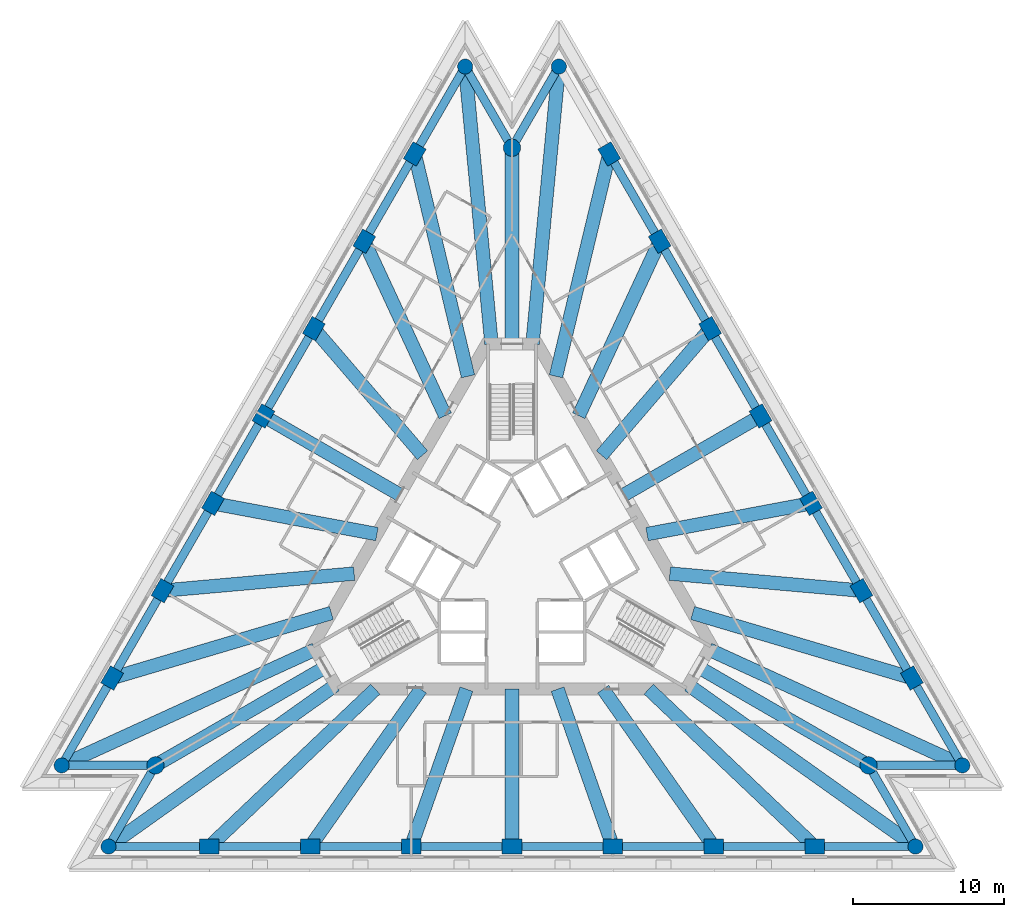
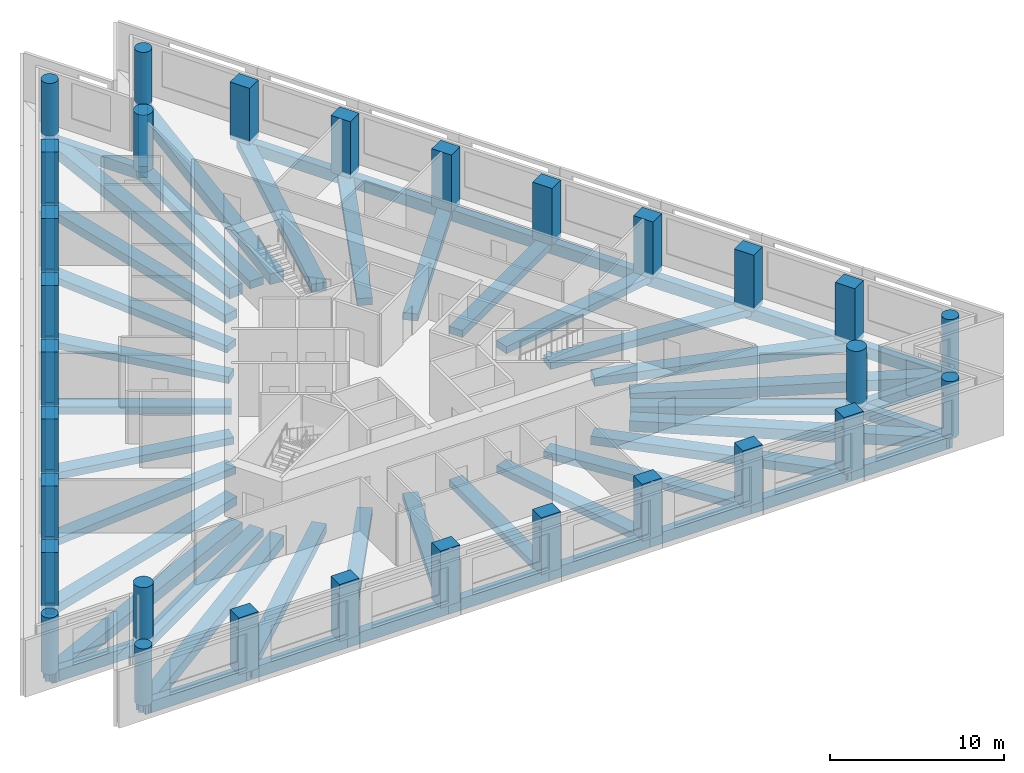
# One storey, part 1 of 9: 59 beams, 30 columns.
"""IFC4 building model written with IfcOpenShell, lengths in metres."""

from ifc_helpers import new_model, si_unit, direction, frame, origin, origin_2d, place, context, subcontext, project, spatial, rectangle, circle, extrude, material, material_profile, profile_set, type_object, element, save


model = new_model("IFC4")

# Units and contexts
model_context = context("Model", 3, precision=1e-05, world=origin(), true_north=direction((0.0, 1.0)))
body_context = subcontext(model_context, "Body", "Model", "MODEL_VIEW")
ifc_project = project(units=[si_unit("LENGTHUNIT", "METRE"), si_unit("AREAUNIT", "SQUARE_METRE"), si_unit("VOLUMEUNIT", "CUBIC_METRE"), si_unit("PLANEANGLEUNIT", "RADIAN"), si_unit("MASSUNIT", "GRAM", prefix="KILO")], contexts=[model_context])

# Site, building, storey
site_placement = place(None, origin())
site = spatial("IfcSite", under=ifc_project, at=site_placement, CompositionType="ELEMENT")
building_placement = place(site_placement, origin())
building = spatial("IfcBuilding", under=site, at=building_placement, Name="Triada Interchange Tower", CompositionType="ELEMENT")
storey_placement = place(building_placement, frame((0.0, 0.0, 148.300048828125)))
storey = spatial("IfcBuildingStorey", under=building, at=storey_placement, Name="L34", CompositionType="ELEMENT", Elevation=148.300048828125)

# Columns
ifc_material_1 = material(Name="Concrete C60/75", Category="concrete")
ifc_material_profile_1 = material_profile(ifc_material_1, rectangle(XDim=1.300048828125, YDim=1.0, at=origin_2d()), Name="RC 1300x1000")
ifc_profile_set_1 = profile_set([ifc_material_profile_1], Name="Concrete C60/75")
column_type_1 = type_object("IfcColumnType", Name="Column B face RC 1300x1000", PredefinedType="COLUMN", material=ifc_profile_set_1)
for number, where, z_axis, x_axis, name in (
    (1, (-6.452880859375, 26.89990234375, -0.300048828125), (0.0, 0.0, 1.0), (0.5, 0.866025403784, 0.0), "Column CB02 L34"),
    (2, (-9.798095703125, 21.10693359375, -0.300048828125), (0.0, 0.0, 1.0), (0.5, 0.866025403784, 0.0), "Column CB03 L34"),
    (3, (-13.14306640625, 15.31298828125, -0.300048828125), (0.0, 0.0, 1.0), (0.5, 0.866025403784, 0.0), "Column CB04 L34"),
    (4, (-16.488037109375, 9.52001953125, -0.300048828125), (0.0, 0.0, 1.0), (0.5, 0.866025403784, 0.0), "Column CB05 L34"),
    (5, (-19.8330078125, 3.72607421875, -0.300048828125), (0.0, 0.0, 1.0), (0.5, 0.866025403784, 0.0), "Column CB06 L34"),
    (6, (-23.177978515625, -2.068115234375, -0.300048828125), (0.0, 0.0, 1.0), (0.5, 0.866025403784, 0.0), "Column CB07 L34"),
    (7, (-26.52294921875, -7.861083984375, -0.300048828125), (0.0, 0.0, 1.0), (0.5, 0.866025403784, 0.0), "Column CB08 L34"),
    (8, (-20.070068359375, -19.0390625, -0.300048828125), (0.0, 0.0, 1.0), (1.0, 0.0, 0.0), "Column CB11 L34"),
    (9, (-13.3798828125, -19.0390625, -0.300048828125), (0.0, 0.0, 1.0), (1.0, 0.0, 0.0), "Column CB12 L34"),
    (10, (-6.68994140625, -19.0390625, -0.300048828125), (0.0, 0.0, 1.0), (1.0, 0.0, 0.0), "Column CB13 L34"),
    (11, (0.0, -19.0390625, -0.300048828125), (0.0, 0.0, 1.0), (1.0, 0.0, 0.0), "Column CB14 L34"),
    (12, (6.68994140625, -19.0390625, -0.300048828125), (0.0, 0.0, 1.0), (1.0, 0.0, 0.0), "Column CB15 L34"),
    (13, (13.3798828125, -19.0390625, -0.300048828125), (0.0, 0.0, 1.0), (1.0, 0.0, 0.0), "Column CB16 L34"),
    (14, (20.070068359375, -19.0390625, -0.300048828125), (0.0, 0.0, 1.0), (1.0, 0.0, 0.0), "Column CB17 L34"),
    (15, (26.52294921875, -7.861083984375, -0.300048828125), (0.0, 0.0, 1.0), (-0.5, 0.866025403784, 0.0), "Column CB20 L34"),
    (16, (23.177978515625, -2.068115234375, -0.300048828125), (0.0, 0.0, 1.0), (-0.5, 0.866025403784, 0.0), "Column CB21 L34"),
    (17, (19.8330078125, 3.72607421875, -0.300048828125), (0.0, 0.0, 1.0), (-0.5, 0.866025403784, 0.0), "Column CB22 L34"),
    (18, (16.488037109375, 9.52001953125, -0.300048828125), (0.0, 0.0, 1.0), (-0.5, 0.866025403784, 0.0), "Column CB23 L34"),
    (19, (13.14306640625, 15.31298828125, -0.300048828125), (0.0, 0.0, 1.0), (-0.5, 0.866025403784, 0.0), "Column CB24 L34"),
    (20, (9.798095703125, 21.10693359375, -0.300048828125), (0.0, 0.0, 1.0), (-0.5, 0.866025403784, 0.0), "Column CB25 L34"),
    (21, (6.452880859375, 26.89990234375, -0.300048828125), (0.0, 0.0, 1.0), (-0.5, 0.866025403784, 0.0), "Column CB26 L34"),
):
    element("IfcColumn", number, at=place(storey_placement, frame(where, z_axis=z_axis, x_axis=x_axis)), inside=storey, type_object=column_type_1, Name=name, PredefinedType="COLUMN", context=body_context, shape_type="SweptSolid", body=[
        extrude(rectangle(XDim=1.300048828125, YDim=1.0, at=origin_2d()), origin(), (0.0, 0.0, 1.0), 4.0),
    ])
ifc_material_profile_2 = material_profile(ifc_material_1, circle(Radius=0.5, at=origin_2d()), Name="RC D1000")
ifc_profile_set_2 = profile_set([ifc_material_profile_2], Name="Concrete C60/75")
column_type_2 = type_object("IfcColumnType", Name="End column B RC D1000", PredefinedType="COLUMN", material=ifc_profile_set_2)
for number, where, z_axis, x_axis, name in (
    (22, (-3.10791015625, 32.694091796875, -0.300048828125), (0.0, 0.0, 1.0), (0.5, 0.866025403784, 0.0), "Column CB01 L34"),
    (23, (-29.867919921875, -13.655029296875, -0.300048828125), (0.0, 0.0, 1.0), (0.5, 0.866025403784, 0.0), "Column CB09 L34"),
    (24, (-26.760009765625, -19.0390625, -0.300048828125), (0.0, 0.0, 1.0), (1.0, 0.0, 0.0), "Column CB10 L34"),
    (25, (26.760009765625, -19.0390625, -0.300048828125), (0.0, 0.0, 1.0), (1.0, 0.0, 0.0), "Column CB18 L34"),
    (26, (29.867919921875, -13.655029296875, -0.300048828125), (0.0, 0.0, 1.0), (-0.5, 0.866025403784, 0.0), "Column CB19 L34"),
    (27, (3.10791015625, 32.694091796875, -0.300048828125), (0.0, 0.0, 1.0), (-0.5, 0.866025403784, 0.0), "Column CB27 L34"),
):
    element("IfcColumn", number, at=place(storey_placement, frame(where, z_axis=z_axis, x_axis=x_axis)), inside=storey, type_object=column_type_2, Name=name, PredefinedType="COLUMN", context=body_context, shape_type="SweptSolid", body=[
        extrude(circle(Radius=0.5, at=origin_2d()), origin(), (0.0, 0.0, 1.0), 4.0),
    ])
ifc_material_profile_3 = material_profile(ifc_material_1, circle(Radius=0.574951171875, at=origin_2d()), Name="RC D1150")
ifc_profile_set_3 = profile_set([ifc_material_profile_3], Name="Concrete C60/75")
column_type_3 = type_object("IfcColumnType", Name="Mega column B RC D1150", PredefinedType="COLUMN", material=ifc_profile_set_3)
for number, where, z_axis, x_axis, name in (
    (28, (0.0, 27.31103515625, -0.300048828125), (0.0, 0.0, 1.0), (1.0, 0.0, 0.0), "Column MB1 L34"),
    (29, (-23.652099609375, -13.655029296875, -0.300048828125), (0.0, 0.0, 1.0), (1.0, 0.0, 0.0), "Column MB2 L34"),
    (30, (23.652099609375, -13.655029296875, -0.300048828125), (0.0, 0.0, 1.0), (1.0, 0.0, 0.0), "Column MB3 L34"),
):
    element("IfcColumn", number, at=place(storey_placement, frame(where, z_axis=z_axis, x_axis=x_axis)), inside=storey, type_object=column_type_3, Name=name, PredefinedType="COLUMN", context=body_context, shape_type="SweptSolid", body=[
        extrude(circle(Radius=0.574951171875, at=origin_2d()), origin(), (0.0, 0.0, 1.0), 4.0),
    ])

# Beams
ifc_material_2 = material(Name="Concrete C50/60", Category="concrete")
ifc_material_profile_4 = material_profile(ifc_material_2, rectangle(XDim=0.89990234375, YDim=0.5, at=origin_2d()), Name="RC 900x500")
ifc_profile_set_4 = profile_set([ifc_material_profile_4], Name="Concrete C50/60")
beam_type_1 = type_object("IfcBeamType", Name="Radial band beam B RC 900x500", PredefinedType="BEAM", material=ifc_profile_set_4)
beam_1_placement = place(storey_placement, frame((-9.798095703125, 21.10693359375, -0.550048828125), z_axis=(0.421039906422, -0.907042114348, 0.0), x_axis=(0.907042114348, 0.421039906422, 0.0)))
element("IfcBeam", 31, at=beam_1_placement, inside=storey, type_object=beam_type_1, Name="Radial band beam BB03 L34", PredefinedType="BEAM", context=body_context, shape_type="SweptSolid", body=[
    extrude(rectangle(XDim=0.89990234375, YDim=0.5, at=origin_2d()), origin(), (0.0, 0.0, 1.0), 12.759033203125),
])
beam_2_placement = place(storey_placement, frame((-13.14306640625, 15.31298828125, -0.550048828125), z_axis=(0.651285502913, -0.758832783751, 0.0), x_axis=(0.758832783751, 0.651285502913, 0.0)))
element("IfcBeam", 32, at=beam_2_placement, inside=storey, type_object=beam_type_1, Name="Radial band beam BB04 L34", PredefinedType="BEAM", context=body_context, shape_type="SweptSolid", body=[
    extrude(rectangle(XDim=0.89990234375, YDim=0.5, at=origin_2d()), origin(), (0.0, 0.0, 1.0), 11.064453125),
])
beam_3_placement = place(storey_placement, frame((-16.488037109375, 9.52001953125, -0.550048828125), z_axis=(0.86601968407, -0.500009906705, 0.0), x_axis=(0.500009906705, 0.86601968407, 0.0)))
element("IfcBeam", 33, at=beam_3_placement, inside=storey, type_object=beam_type_1, Name="Radial band beam BB05 L34", PredefinedType="BEAM", context=body_context, shape_type="SweptSolid", body=[
    extrude(rectangle(XDim=0.89990234375, YDim=0.5, at=origin_2d()), origin(), (0.0, 0.0, 1.0), 10.439697265625),
])
beam_4_placement = place(storey_placement, frame((-19.8330078125, 3.72607421875, -0.550048828125), z_axis=(0.982808184492, -0.184629554773, 0.0), x_axis=(0.184629554773, 0.982808184492, 0.0)))
element("IfcBeam", 34, at=beam_4_placement, inside=storey, type_object=beam_type_1, Name="Radial band beam BB06 L34", PredefinedType="BEAM", context=body_context, shape_type="SweptSolid", body=[
    extrude(rectangle(XDim=0.89990234375, YDim=0.5, at=origin_2d()), origin(), (0.0, 0.0, 1.0), 11.065185546875),
])
beam_5_placement = place(storey_placement, frame((-23.177978515625, -2.068115234375, -0.550048828125), z_axis=(0.996042546371, 0.088877701473, 0.0), x_axis=(-0.088877701473, 0.996042546371, 0.0)))
element("IfcBeam", 35, at=beam_5_placement, inside=storey, type_object=beam_type_1, Name="Radial band beam BB07 L34", PredefinedType="BEAM", context=body_context, shape_type="SweptSolid", body=[
    extrude(rectangle(XDim=0.89990234375, YDim=0.5, at=origin_2d()), origin(), (0.0, 0.0, 1.0), 12.759521484375),
])
beam_6_placement = place(storey_placement, frame((-13.3798828125, -19.0390625, -0.550048828125), z_axis=(0.574969058631, 0.818175153386, 0.0), x_axis=(-0.818175153386, 0.574969058631, 0.0)))
element("IfcBeam", 36, at=beam_6_placement, inside=storey, type_object=beam_type_1, Name="Radial band beam BB13 L34", PredefinedType="BEAM", context=body_context, shape_type="SweptSolid", body=[
    extrude(rectangle(XDim=0.89990234375, YDim=0.5, at=origin_2d()), origin(), (0.0, 0.0, 1.0), 12.7587890625),
])
beam_7_placement = place(storey_placement, frame((-6.68994140625, -19.0390625, -0.550048828125), z_axis=(0.331504042889, 0.943453798312, 0.0), x_axis=(-0.943453798312, 0.331504042889, 0.0)))
element("IfcBeam", 37, at=beam_7_placement, inside=storey, type_object=beam_type_1, Name="Radial band beam BB14 L34", PredefinedType="BEAM", context=body_context, shape_type="SweptSolid", body=[
    extrude(rectangle(XDim=0.89990234375, YDim=0.5, at=origin_2d()), origin(), (0.0, 0.0, 1.0), 11.064697265625),
])
beam_8_placement = place(storey_placement, frame((0.0, -19.0390625, -0.550048828125), z_axis=(0.0, 1.0, 0.0), x_axis=(-1.0, 0.0, 0.0)))
element("IfcBeam", 38, at=beam_8_placement, inside=storey, type_object=beam_type_1, Name="Radial band beam BB15 L34", PredefinedType="BEAM", context=body_context, shape_type="SweptSolid", body=[
    extrude(rectangle(XDim=0.89990234375, YDim=0.5, at=origin_2d()), origin(), (0.0, 0.0, 1.0), 10.43896484375),
])
beam_9_placement = place(storey_placement, frame((6.68994140625, -19.0390625, -0.550048828125), z_axis=(-0.331504042889, 0.943453798312, 0.0), x_axis=(-0.943453798312, -0.331504042889, 0.0)))
element("IfcBeam", 39, at=beam_9_placement, inside=storey, type_object=beam_type_1, Name="Radial band beam BB16 L34", PredefinedType="BEAM", context=body_context, shape_type="SweptSolid", body=[
    extrude(rectangle(XDim=0.89990234375, YDim=0.5, at=origin_2d()), origin(), (0.0, 0.0, 1.0), 11.064697265625),
])
beam_10_placement = place(storey_placement, frame((13.3798828125, -19.0390625, -0.550048828125), z_axis=(-0.574969058631, 0.818175153386, 0.0), x_axis=(-0.818175153386, -0.574969058631, 0.0)))
element("IfcBeam", 40, at=beam_10_placement, inside=storey, type_object=beam_type_1, Name="Radial band beam BB17 L34", PredefinedType="BEAM", context=body_context, shape_type="SweptSolid", body=[
    extrude(rectangle(XDim=0.89990234375, YDim=0.5, at=origin_2d()), origin(), (0.0, 0.0, 1.0), 12.7587890625),
])
beam_11_placement = place(storey_placement, frame((23.177978515625, -2.068115234375, -0.550048828125), z_axis=(-0.996042546371, 0.088877701473, 0.0), x_axis=(-0.088877701473, -0.996042546371, 0.0)))
element("IfcBeam", 41, at=beam_11_placement, inside=storey, type_object=beam_type_1, Name="Radial band beam BB23 L34", PredefinedType="BEAM", context=body_context, shape_type="SweptSolid", body=[
    extrude(rectangle(XDim=0.89990234375, YDim=0.5, at=origin_2d()), origin(), (0.0, 0.0, 1.0), 12.759521484375),
])
beam_12_placement = place(storey_placement, frame((19.8330078125, 3.72607421875, -0.550048828125), z_axis=(-0.982808184492, -0.184629554773, 0.0), x_axis=(0.184629554773, -0.982808184492, 0.0)))
element("IfcBeam", 42, at=beam_12_placement, inside=storey, type_object=beam_type_1, Name="Radial band beam BB24 L34", PredefinedType="BEAM", context=body_context, shape_type="SweptSolid", body=[
    extrude(rectangle(XDim=0.89990234375, YDim=0.5, at=origin_2d()), origin(), (0.0, 0.0, 1.0), 11.065185546875),
])
beam_13_placement = place(storey_placement, frame((16.488037109375, 9.52001953125, -0.550048828125), z_axis=(-0.86601968407, -0.500009906705, 0.0), x_axis=(0.500009906705, -0.86601968407, 0.0)))
element("IfcBeam", 43, at=beam_13_placement, inside=storey, type_object=beam_type_1, Name="Radial band beam BB25 L34", PredefinedType="BEAM", context=body_context, shape_type="SweptSolid", body=[
    extrude(rectangle(XDim=0.89990234375, YDim=0.5, at=origin_2d()), origin(), (0.0, 0.0, 1.0), 10.439697265625),
])
beam_14_placement = place(storey_placement, frame((13.14306640625, 15.31298828125, -0.550048828125), z_axis=(-0.651285502913, -0.758832783751, 0.0), x_axis=(0.758832783751, -0.651285502913, 0.0)))
element("IfcBeam", 44, at=beam_14_placement, inside=storey, type_object=beam_type_1, Name="Radial band beam BB26 L34", PredefinedType="BEAM", context=body_context, shape_type="SweptSolid", body=[
    extrude(rectangle(XDim=0.89990234375, YDim=0.5, at=origin_2d()), origin(), (0.0, 0.0, 1.0), 11.064453125),
])
beam_15_placement = place(storey_placement, frame((9.798095703125, 21.10693359375, -0.550048828125), z_axis=(-0.421039906422, -0.907042114348, 0.0), x_axis=(0.907042114348, -0.421039906422, 0.0)))
element("IfcBeam", 45, at=beam_15_placement, inside=storey, type_object=beam_type_1, Name="Radial band beam BB27 L34", PredefinedType="BEAM", context=body_context, shape_type="SweptSolid", body=[
    extrude(rectangle(XDim=0.89990234375, YDim=0.5, at=origin_2d()), origin(), (0.0, 0.0, 1.0), 12.759033203125),
])
ifc_material_profile_5 = material_profile(ifc_material_2, rectangle(XDim=0.89990234375, YDim=0.550048828125, at=origin_2d()), Name="RC 900x550")
ifc_profile_set_5 = profile_set([ifc_material_profile_5], Name="Concrete C50/60")
beam_type_2 = type_object("IfcBeamType", Name="Radial band beam B RC 900x550", PredefinedType="BEAM", material=ifc_profile_set_5)
for number, where, z_axis, x_axis, name in (
    (46, (-23.652099609375, -13.655029296875, -0.574951171875), (0.866041851207, 0.499971511146, 0.0), (-0.499971511146, 0.866041851207, 0.0), "Radial band beam BB10 L34"),
    (47, (23.652099609375, -13.655029296875, -0.574951171875), (-0.866041851207, 0.499971511146, 0.0), (-0.499971511146, -0.866041851207, 0.0), "Radial band beam BB20 L34"),
    (48, (0.0, 27.31103515625, -0.574951171875), (0.0, -1.0, 0.0), (1.0, 0.0, 0.0), "Radial band beam BB30 L34"),
):
    element("IfcBeam", number, at=place(storey_placement, frame(where, z_axis=z_axis, x_axis=x_axis)), inside=storey, type_object=beam_type_2, Name=name, PredefinedType="BEAM", context=body_context, shape_type="SweptSolid", body=[
        extrude(rectangle(XDim=0.89990234375, YDim=0.550048828125, at=origin_2d()), origin(), (0.0, 0.0, 1.0), 13.010986328125),
    ])
ifc_material_profile_6 = material_profile(ifc_material_2, rectangle(XDim=0.89990234375, YDim=0.60009765625, at=origin_2d()), Name="RC 900x600")
ifc_profile_set_6 = profile_set([ifc_material_profile_6], Name="Concrete C50/60")
beam_type_3 = type_object("IfcBeamType", Name="Radial band beam B RC 900x600", PredefinedType="BEAM", material=ifc_profile_set_6)
beam_16_placement = place(storey_placement, frame((-6.452880859375, 26.89990234375, -0.60009765625), z_axis=(0.233253019082, -0.972416078173, 0.0), x_axis=(0.972416078173, 0.233253019082, 0.0)))
element("IfcBeam", 49, at=beam_16_placement, inside=storey, type_object=beam_type_3, Name="Radial band beam BB02 L34", PredefinedType="BEAM", context=body_context, shape_type="SweptSolid", body=[
    extrude(rectangle(XDim=0.89990234375, YDim=0.60009765625, at=origin_2d()), origin(), (0.0, 0.0, 1.0), 15.16748046875),
])
beam_17_placement = place(storey_placement, frame((-26.52294921875, -7.861083984375, -0.60009765625), z_axis=(0.958779599778, 0.284150803359, 0.0), x_axis=(-0.284150803359, 0.958779599778, 0.0)))
element("IfcBeam", 50, at=beam_17_placement, inside=storey, type_object=beam_type_3, Name="Radial band beam BB08 L34", PredefinedType="BEAM", context=body_context, shape_type="SweptSolid", body=[
    extrude(rectangle(XDim=0.89990234375, YDim=0.60009765625, at=origin_2d()), origin(), (0.0, 0.0, 1.0), 15.168212890625),
])
for number, where, z_axis, x_axis, name in (
    (51, (-20.070068359375, -19.0390625, -0.60009765625), (0.725492341972, 0.688230238902, 0.0), (-0.688230238902, 0.725492341972, 0.0), "Radial band beam BB12 L34"),
    (52, (20.070068359375, -19.0390625, -0.60009765625), (-0.725492341972, 0.688230238902, 0.0), (-0.688230238902, -0.725492341972, 0.0), "Radial band beam BB18 L34"),
):
    element("IfcBeam", number, at=place(storey_placement, frame(where, z_axis=z_axis, x_axis=x_axis)), inside=storey, type_object=beam_type_3, Name=name, PredefinedType="BEAM", context=body_context, shape_type="SweptSolid", body=[
        extrude(rectangle(XDim=0.89990234375, YDim=0.60009765625, at=origin_2d()), origin(), (0.0, 0.0, 1.0), 15.167724609375),
    ])
beam_18_placement = place(storey_placement, frame((26.52294921875, -7.861083984375, -0.60009765625), z_axis=(-0.958779599778, 0.284150803359, 0.0), x_axis=(-0.284150803359, -0.958779599778, 0.0)))
element("IfcBeam", 53, at=beam_18_placement, inside=storey, type_object=beam_type_3, Name="Radial band beam BB22 L34", PredefinedType="BEAM", context=body_context, shape_type="SweptSolid", body=[
    extrude(rectangle(XDim=0.89990234375, YDim=0.60009765625, at=origin_2d()), origin(), (0.0, 0.0, 1.0), 15.168212890625),
])
beam_19_placement = place(storey_placement, frame((6.452880859375, 26.89990234375, -0.60009765625), z_axis=(-0.233253019082, -0.972416078173, 0.0), x_axis=(0.972416078173, -0.233253019082, 0.0)))
element("IfcBeam", 54, at=beam_19_placement, inside=storey, type_object=beam_type_3, Name="Radial band beam BB28 L34", PredefinedType="BEAM", context=body_context, shape_type="SweptSolid", body=[
    extrude(rectangle(XDim=0.89990234375, YDim=0.60009765625, at=origin_2d()), origin(), (0.0, 0.0, 1.0), 15.16748046875),
])
ifc_material_profile_7 = material_profile(ifc_material_2, rectangle(XDim=0.89990234375, YDim=0.75, at=origin_2d()), Name="RC 900x750")
ifc_profile_set_7 = profile_set([ifc_material_profile_7], Name="Concrete C50/60")
beam_type_4 = type_object("IfcBeamType", Name="Radial band beam B RC 900x750", PredefinedType="BEAM", material=ifc_profile_set_7)
for number, where, z_axis, x_axis, name in (
    (55, (-3.10791015625, 32.694091796875, -0.675048828125), (0.094659440812, -0.995509713798, 0.0), (0.995509713798, 0.094659440812, 0.0), "Radial band beam BB01 L34"),
    (56, (-29.867919921875, -13.655029296875, -0.675048828125), (0.909447922526, 0.415817840182, 0.0), (-0.415817840182, 0.909447922526, 0.0), "Radial band beam BB09 L34"),
):
    element("IfcBeam", number, at=place(storey_placement, frame(where, z_axis=z_axis, x_axis=x_axis)), inside=storey, type_object=beam_type_4, Name=name, PredefinedType="BEAM", context=body_context, shape_type="SweptSolid", body=[
        extrude(rectangle(XDim=0.89990234375, YDim=0.75, at=origin_2d()), origin(), (0.0, 0.0, 1.0), 18.47705078125),
    ])
for number, where, z_axis, x_axis, name in (
    (57, (-26.760009765625, -19.0390625, -0.675048828125), (0.814808724717, 0.579729887211, 0.0), (-0.579729887211, 0.814808724717, 0.0), "Radial band beam BB11 L34"),
    (58, (26.760009765625, -19.0390625, -0.675048828125), (-0.814808724717, 0.579729887211, 0.0), (-0.579729887211, -0.814808724717, 0.0), "Radial band beam BB19 L34"),
):
    element("IfcBeam", number, at=place(storey_placement, frame(where, z_axis=z_axis, x_axis=x_axis)), inside=storey, type_object=beam_type_4, Name=name, PredefinedType="BEAM", context=body_context, shape_type="SweptSolid", body=[
        extrude(rectangle(XDim=0.89990234375, YDim=0.75, at=origin_2d()), origin(), (0.0, 0.0, 1.0), 18.477783203125),
    ])
for number, where, z_axis, x_axis, name in (
    (59, (29.867919921875, -13.655029296875, -0.675048828125), (-0.909447922526, 0.415817840182, 0.0), (-0.415817840182, -0.909447922526, 0.0), "Radial band beam BB21 L34"),
    (60, (3.10791015625, 32.694091796875, -0.675048828125), (-0.094659440812, -0.995509713798, 0.0), (0.995509713798, -0.094659440812, 0.0), "Radial band beam BB29 L34"),
):
    element("IfcBeam", number, at=place(storey_placement, frame(where, z_axis=z_axis, x_axis=x_axis)), inside=storey, type_object=beam_type_4, Name=name, PredefinedType="BEAM", context=body_context, shape_type="SweptSolid", body=[
        extrude(rectangle(XDim=0.89990234375, YDim=0.75, at=origin_2d()), origin(), (0.0, 0.0, 1.0), 18.47705078125),
    ])
ifc_material_profile_8 = material_profile(ifc_material_2, rectangle(XDim=0.550048828125, YDim=0.800048828125, at=origin_2d()), Name="RC 550x800")
ifc_profile_set_8 = profile_set([ifc_material_profile_8], Name="Concrete C50/60")
beam_type_5 = type_object("IfcBeamType", Name="Spandrel beam B RC 550x800", PredefinedType="BEAM", material=ifc_profile_set_8)
beam_20_placement = place(storey_placement, frame((-3.10791015625, 32.694091796875, -0.699951171875), z_axis=(-0.499965681329, -0.866045216772, 0.0), x_axis=(0.866045216772, -0.499965681329, 0.0)))
element("IfcBeam", 61, at=beam_20_placement, inside=storey, type_object=beam_type_5, Name="Spandrel beam EB01 L34", PredefinedType="BEAM", context=body_context, shape_type="SweptSolid", body=[
    extrude(rectangle(XDim=0.550048828125, YDim=0.800048828125, at=origin_2d()), origin(), (0.0, 0.0, 1.0), 6.6904296875),
])
beam_21_placement = place(storey_placement, frame((-6.452880859375, 26.89990234375, -0.699951171875), z_axis=(-0.500072064175, -0.865983793516, 0.0), x_axis=(0.865983793516, -0.500072064175, 0.0)))
element("IfcBeam", 62, at=beam_21_placement, inside=storey, type_object=beam_type_5, Name="Spandrel beam EB02 L34", PredefinedType="BEAM", context=body_context, shape_type="SweptSolid", body=[
    extrude(rectangle(XDim=0.550048828125, YDim=0.800048828125, at=origin_2d()), origin(), (0.0, 0.0, 1.0), 6.689453125),
])
beam_22_placement = place(storey_placement, frame((-9.798095703125, 21.10693359375, -0.699951171875), z_axis=(-0.499981482168, -0.866036094796, 0.0), x_axis=(0.866036094796, -0.499981482168, 0.0)))
element("IfcBeam", 63, at=beam_22_placement, inside=storey, type_object=beam_type_5, Name="Spandrel beam EB03 L34", PredefinedType="BEAM", context=body_context, shape_type="SweptSolid", body=[
    extrude(rectangle(XDim=0.550048828125, YDim=0.800048828125, at=origin_2d()), origin(), (0.0, 0.0, 1.0), 6.690185546875),
])
beam_23_placement = place(storey_placement, frame((-13.14306640625, 15.31298828125, -0.699951171875), z_axis=(-0.500044693844, -0.865999598244, 0.0), x_axis=(0.865999598244, -0.500044693844, 0.0)))
element("IfcBeam", 64, at=beam_23_placement, inside=storey, type_object=beam_type_5, Name="Spandrel beam EB04 L34", PredefinedType="BEAM", context=body_context, shape_type="SweptSolid", body=[
    extrude(rectangle(XDim=0.550048828125, YDim=0.800048828125, at=origin_2d()), origin(), (0.0, 0.0, 1.0), 6.689453125),
])
beam_24_placement = place(storey_placement, frame((-16.488037109375, 9.52001953125, -0.699951171875), z_axis=(-0.499981482168, -0.866036094796, 0.0), x_axis=(0.866036094796, -0.499981482168, 0.0)))
element("IfcBeam", 65, at=beam_24_placement, inside=storey, type_object=beam_type_5, Name="Spandrel beam EB05 L34", PredefinedType="BEAM", context=body_context, shape_type="SweptSolid", body=[
    extrude(rectangle(XDim=0.550048828125, YDim=0.800048828125, at=origin_2d()), origin(), (0.0, 0.0, 1.0), 6.690185546875),
])
beam_25_placement = place(storey_placement, frame((-19.8330078125, 3.72607421875, -0.699951171875), z_axis=(-0.499965681329, -0.866045216772, 0.0), x_axis=(0.866045216772, -0.499965681329, 0.0)))
element("IfcBeam", 66, at=beam_25_placement, inside=storey, type_object=beam_type_5, Name="Spandrel beam EB06 L34", PredefinedType="BEAM", context=body_context, shape_type="SweptSolid", body=[
    extrude(rectangle(XDim=0.550048828125, YDim=0.800048828125, at=origin_2d()), origin(), (0.0, 0.0, 1.0), 6.6904296875),
])
beam_26_placement = place(storey_placement, frame((-23.177978515625, -2.068115234375, -0.699951171875), z_axis=(-0.500044693844, -0.865999598244, 0.0), x_axis=(0.865999598244, -0.500044693844, 0.0)))
element("IfcBeam", 67, at=beam_26_placement, inside=storey, type_object=beam_type_5, Name="Spandrel beam EB07 L34", PredefinedType="BEAM", context=body_context, shape_type="SweptSolid", body=[
    extrude(rectangle(XDim=0.550048828125, YDim=0.800048828125, at=origin_2d()), origin(), (0.0, 0.0, 1.0), 6.689453125),
])
beam_27_placement = place(storey_placement, frame((-26.52294921875, -7.861083984375, -0.699951171875), z_axis=(-0.499981482168, -0.866036094796, 0.0), x_axis=(0.866036094796, -0.499981482168, 0.0)))
element("IfcBeam", 68, at=beam_27_placement, inside=storey, type_object=beam_type_5, Name="Spandrel beam EB08 L34", PredefinedType="BEAM", context=body_context, shape_type="SweptSolid", body=[
    extrude(rectangle(XDim=0.550048828125, YDim=0.800048828125, at=origin_2d()), origin(), (0.0, 0.0, 1.0), 6.690185546875),
])
beam_28_placement = place(storey_placement, frame((-29.867919921875, -13.655029296875, -0.699951171875), z_axis=(1.0, 0.0, 0.0), x_axis=(0.0, 1.0, 0.0)))
element("IfcBeam", 69, at=beam_28_placement, inside=storey, type_object=beam_type_5, Name="Spandrel beam EB09 L34", PredefinedType="BEAM", context=body_context, shape_type="SweptSolid", body=[
    extrude(rectangle(XDim=0.550048828125, YDim=0.800048828125, at=origin_2d()), origin(), (0.0, 0.0, 1.0), 6.2158203125),
])
beam_29_placement = place(storey_placement, frame((-23.652099609375, -13.655029296875, -0.699951171875), z_axis=(-0.499932092729, -0.866064606516, 0.0), x_axis=(0.866064606516, -0.499932092729, 0.0)))
element("IfcBeam", 70, at=beam_29_placement, inside=storey, type_object=beam_type_5, Name="Spandrel beam EB10 L34", PredefinedType="BEAM", context=body_context, shape_type="SweptSolid", body=[
    extrude(rectangle(XDim=0.550048828125, YDim=0.800048828125, at=origin_2d()), origin(), (0.0, 0.0, 1.0), 6.216552734375),
])
beam_30_placement = place(storey_placement, frame((-26.760009765625, -19.0390625, -0.699951171875), z_axis=(1.0, 0.0, 0.0), x_axis=(0.0, 1.0, 0.0)))
element("IfcBeam", 71, at=beam_30_placement, inside=storey, type_object=beam_type_5, Name="Spandrel beam EB11 L34", PredefinedType="BEAM", context=body_context, shape_type="SweptSolid", body=[
    extrude(rectangle(XDim=0.550048828125, YDim=0.800048828125, at=origin_2d()), origin(), (0.0, 0.0, 1.0), 6.68994140625),
])
beam_31_placement = place(storey_placement, frame((-20.070068359375, -19.0390625, -0.699951171875), z_axis=(1.0, 0.0, 0.0), x_axis=(0.0, 1.0, 0.0)))
element("IfcBeam", 72, at=beam_31_placement, inside=storey, type_object=beam_type_5, Name="Spandrel beam EB12 L34", PredefinedType="BEAM", context=body_context, shape_type="SweptSolid", body=[
    extrude(rectangle(XDim=0.550048828125, YDim=0.800048828125, at=origin_2d()), origin(), (0.0, 0.0, 1.0), 6.690185546875),
])
for number, where, z_axis, x_axis, name in (
    (73, (-13.3798828125, -19.0390625, -0.699951171875), (1.0, 0.0, 0.0), (0.0, 1.0, 0.0), "Spandrel beam EB13 L34"),
    (74, (-6.68994140625, -19.0390625, -0.699951171875), (1.0, 0.0, 0.0), (0.0, 1.0, 0.0), "Spandrel beam EB14 L34"),
    (75, (0.0, -19.0390625, -0.699951171875), (1.0, 0.0, 0.0), (0.0, 1.0, 0.0), "Spandrel beam EB15 L34"),
    (76, (6.68994140625, -19.0390625, -0.699951171875), (1.0, 0.0, 0.0), (0.0, 1.0, 0.0), "Spandrel beam EB16 L34"),
):
    element("IfcBeam", number, at=place(storey_placement, frame(where, z_axis=z_axis, x_axis=x_axis)), inside=storey, type_object=beam_type_5, Name=name, PredefinedType="BEAM", context=body_context, shape_type="SweptSolid", body=[
        extrude(rectangle(XDim=0.550048828125, YDim=0.800048828125, at=origin_2d()), origin(), (0.0, 0.0, 1.0), 6.68994140625),
    ])
beam_32_placement = place(storey_placement, frame((13.3798828125, -19.0390625, -0.699951171875), z_axis=(1.0, 0.0, 0.0), x_axis=(0.0, 1.0, 0.0)))
element("IfcBeam", 77, at=beam_32_placement, inside=storey, type_object=beam_type_5, Name="Spandrel beam EB17 L34", PredefinedType="BEAM", context=body_context, shape_type="SweptSolid", body=[
    extrude(rectangle(XDim=0.550048828125, YDim=0.800048828125, at=origin_2d()), origin(), (0.0, 0.0, 1.0), 6.690185546875),
])
beam_33_placement = place(storey_placement, frame((20.070068359375, -19.0390625, -0.699951171875), z_axis=(1.0, 0.0, 0.0), x_axis=(0.0, 1.0, 0.0)))
element("IfcBeam", 78, at=beam_33_placement, inside=storey, type_object=beam_type_5, Name="Spandrel beam EB18 L34", PredefinedType="BEAM", context=body_context, shape_type="SweptSolid", body=[
    extrude(rectangle(XDim=0.550048828125, YDim=0.800048828125, at=origin_2d()), origin(), (0.0, 0.0, 1.0), 6.68994140625),
])
beam_34_placement = place(storey_placement, frame((26.760009765625, -19.0390625, -0.699951171875), z_axis=(-0.499932092729, 0.866064606516, 0.0), x_axis=(-0.866064606516, -0.499932092729, 0.0)))
element("IfcBeam", 79, at=beam_34_placement, inside=storey, type_object=beam_type_5, Name="Spandrel beam EB19 L34", PredefinedType="BEAM", context=body_context, shape_type="SweptSolid", body=[
    extrude(rectangle(XDim=0.550048828125, YDim=0.800048828125, at=origin_2d()), origin(), (0.0, 0.0, 1.0), 6.216552734375),
])
beam_35_placement = place(storey_placement, frame((23.652099609375, -13.655029296875, -0.699951171875), z_axis=(1.0, 0.0, 0.0), x_axis=(0.0, 1.0, 0.0)))
element("IfcBeam", 80, at=beam_35_placement, inside=storey, type_object=beam_type_5, Name="Spandrel beam EB20 L34", PredefinedType="BEAM", context=body_context, shape_type="SweptSolid", body=[
    extrude(rectangle(XDim=0.550048828125, YDim=0.800048828125, at=origin_2d()), origin(), (0.0, 0.0, 1.0), 6.2158203125),
])
beam_36_placement = place(storey_placement, frame((29.867919921875, -13.655029296875, -0.699951171875), z_axis=(-0.499981482168, 0.866036094796, 0.0), x_axis=(-0.866036094796, -0.499981482168, 0.0)))
element("IfcBeam", 81, at=beam_36_placement, inside=storey, type_object=beam_type_5, Name="Spandrel beam EB21 L34", PredefinedType="BEAM", context=body_context, shape_type="SweptSolid", body=[
    extrude(rectangle(XDim=0.550048828125, YDim=0.800048828125, at=origin_2d()), origin(), (0.0, 0.0, 1.0), 6.690185546875),
])
beam_37_placement = place(storey_placement, frame((26.52294921875, -7.861083984375, -0.699951171875), z_axis=(-0.500044693844, 0.865999598244, 0.0), x_axis=(-0.865999598244, -0.500044693844, 0.0)))
element("IfcBeam", 82, at=beam_37_placement, inside=storey, type_object=beam_type_5, Name="Spandrel beam EB22 L34", PredefinedType="BEAM", context=body_context, shape_type="SweptSolid", body=[
    extrude(rectangle(XDim=0.550048828125, YDim=0.800048828125, at=origin_2d()), origin(), (0.0, 0.0, 1.0), 6.689453125),
])
beam_38_placement = place(storey_placement, frame((23.177978515625, -2.068115234375, -0.699951171875), z_axis=(-0.499965681329, 0.866045216772, 0.0), x_axis=(-0.866045216772, -0.499965681329, 0.0)))
element("IfcBeam", 83, at=beam_38_placement, inside=storey, type_object=beam_type_5, Name="Spandrel beam EB23 L34", PredefinedType="BEAM", context=body_context, shape_type="SweptSolid", body=[
    extrude(rectangle(XDim=0.550048828125, YDim=0.800048828125, at=origin_2d()), origin(), (0.0, 0.0, 1.0), 6.6904296875),
])
beam_39_placement = place(storey_placement, frame((19.8330078125, 3.72607421875, -0.699951171875), z_axis=(-0.499981482168, 0.866036094796, 0.0), x_axis=(-0.866036094796, -0.499981482168, 0.0)))
element("IfcBeam", 84, at=beam_39_placement, inside=storey, type_object=beam_type_5, Name="Spandrel beam EB24 L34", PredefinedType="BEAM", context=body_context, shape_type="SweptSolid", body=[
    extrude(rectangle(XDim=0.550048828125, YDim=0.800048828125, at=origin_2d()), origin(), (0.0, 0.0, 1.0), 6.690185546875),
])
beam_40_placement = place(storey_placement, frame((16.488037109375, 9.52001953125, -0.699951171875), z_axis=(-0.500044693844, 0.865999598244, 0.0), x_axis=(-0.865999598244, -0.500044693844, 0.0)))
element("IfcBeam", 85, at=beam_40_placement, inside=storey, type_object=beam_type_5, Name="Spandrel beam EB25 L34", PredefinedType="BEAM", context=body_context, shape_type="SweptSolid", body=[
    extrude(rectangle(XDim=0.550048828125, YDim=0.800048828125, at=origin_2d()), origin(), (0.0, 0.0, 1.0), 6.689453125),
])
beam_41_placement = place(storey_placement, frame((13.14306640625, 15.31298828125, -0.699951171875), z_axis=(-0.499981482168, 0.866036094796, 0.0), x_axis=(-0.866036094796, -0.499981482168, 0.0)))
element("IfcBeam", 86, at=beam_41_placement, inside=storey, type_object=beam_type_5, Name="Spandrel beam EB26 L34", PredefinedType="BEAM", context=body_context, shape_type="SweptSolid", body=[
    extrude(rectangle(XDim=0.550048828125, YDim=0.800048828125, at=origin_2d()), origin(), (0.0, 0.0, 1.0), 6.690185546875),
])
beam_42_placement = place(storey_placement, frame((9.798095703125, 21.10693359375, -0.699951171875), z_axis=(-0.500072064175, 0.865983793516, 0.0), x_axis=(-0.865983793516, -0.500072064175, 0.0)))
element("IfcBeam", 87, at=beam_42_placement, inside=storey, type_object=beam_type_5, Name="Spandrel beam EB27 L34", PredefinedType="BEAM", context=body_context, shape_type="SweptSolid", body=[
    extrude(rectangle(XDim=0.550048828125, YDim=0.800048828125, at=origin_2d()), origin(), (0.0, 0.0, 1.0), 6.689453125),
])
for number, where, z_axis, x_axis, name in (
    (88, (3.10791015625, 32.694091796875, -0.699951171875), (-0.500000115317, -0.866025337206, 0.0), (0.866025337206, -0.500000115317, 0.0), "Spandrel beam EB29 L34"),
    (89, (0.0, 27.31103515625, -0.699951171875), (-0.500000115317, 0.866025337206, 0.0), (-0.866025337206, -0.500000115317, 0.0), "Spandrel beam EB30 L34"),
):
    element("IfcBeam", number, at=place(storey_placement, frame(where, z_axis=z_axis, x_axis=x_axis)), inside=storey, type_object=beam_type_5, Name=name, PredefinedType="BEAM", context=body_context, shape_type="SweptSolid", body=[
        extrude(rectangle(XDim=0.550048828125, YDim=0.800048828125, at=origin_2d()), origin(), (0.0, 0.0, 1.0), 6.2158203125),
    ])

save(model, "model.ifc")
